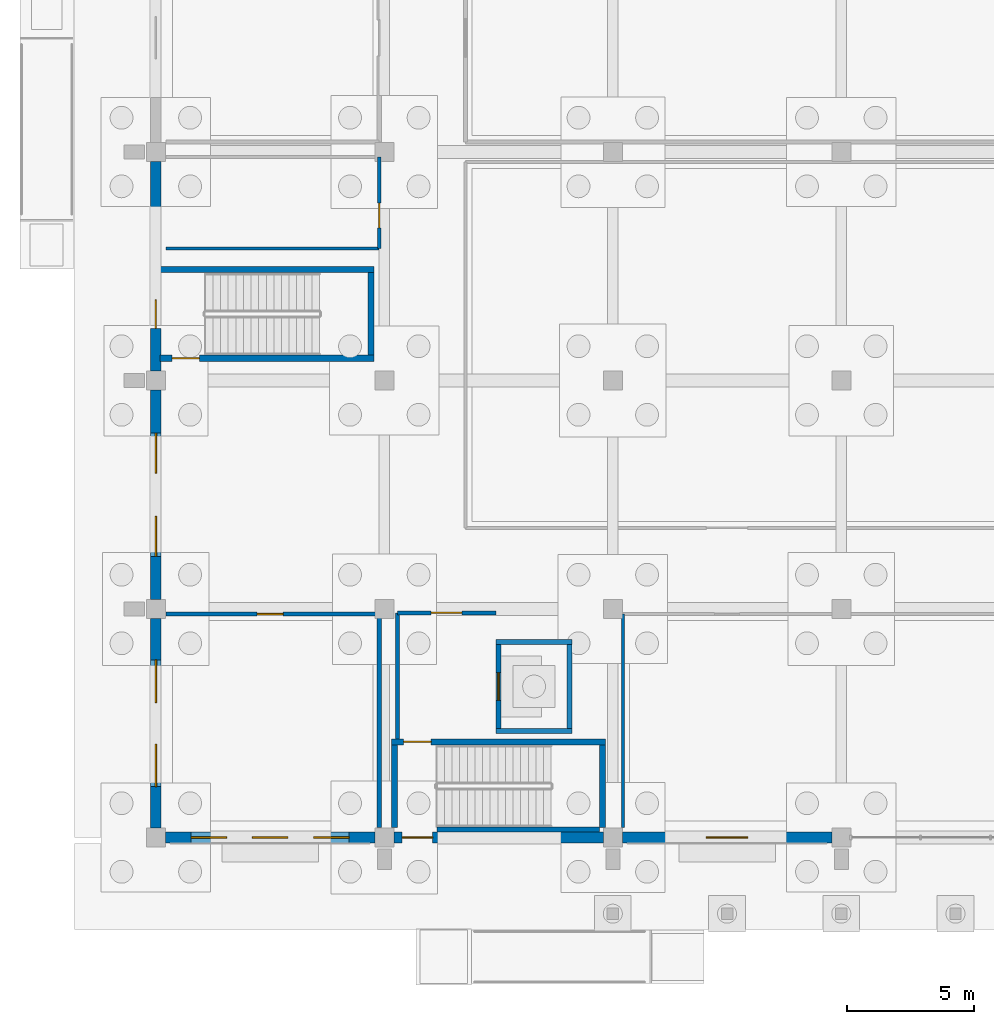
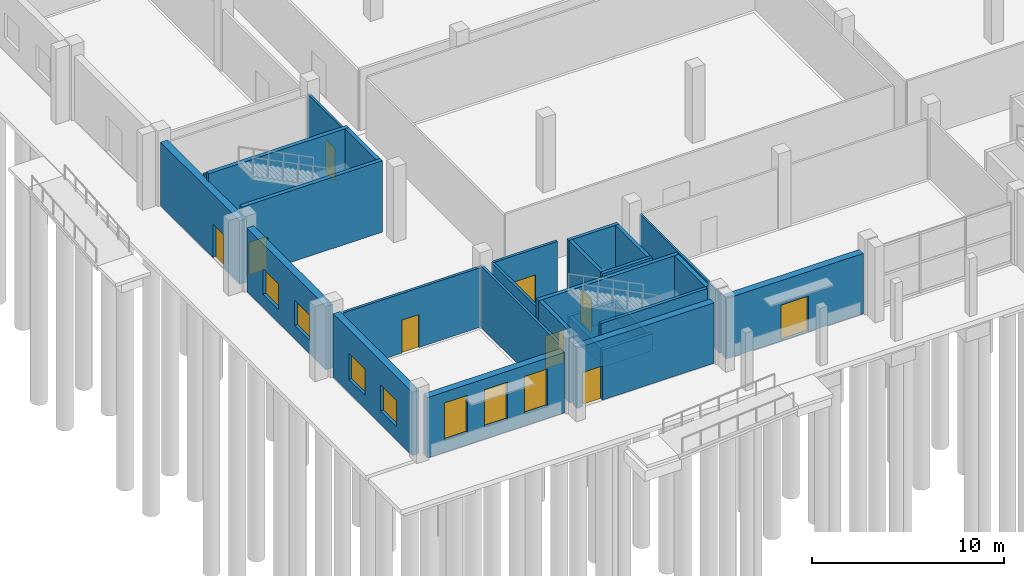
# One storey, part 62 of 112: 28 walls, 9 doors, 7 windows, 16 openings.
"""IFC4 building model written with IfcOpenShell, lengths in metres."""

from ifc_helpers import new_model, si_unit, direction, frame, frame_2d, origin, place, context, subcontext, project, spatial, rectangle, extrude, material, layer, layer_set, type_object, element, fill, save


model = new_model("IFC4")

# Units and contexts
model_context = context("Model", 3, precision=1e-05, world=origin(), true_north=direction((0.0, 1.0)))
body_context = subcontext(model_context, "Body", "Model", "MODEL_VIEW")
ifc_project = project(units=[si_unit("LENGTHUNIT", "METRE"), si_unit("AREAUNIT", "SQUARE_METRE"), si_unit("VOLUMEUNIT", "CUBIC_METRE"), si_unit("PLANEANGLEUNIT", "RADIAN"), si_unit("MASSUNIT", "GRAM", prefix="KILO")], contexts=[model_context])

# Site, building, storey
site_placement = place(None, origin())
site = spatial("IfcSite", under=ifc_project, at=site_placement, CompositionType="ELEMENT")
building_placement = place(site_placement, origin())
building = spatial("IfcBuilding", under=site, at=building_placement, Name="Tharagai Park Tramway Depot", CompositionType="ELEMENT")
storey_placement = place(building_placement, origin())
storey = spatial("IfcBuildingStorey", under=building, at=storey_placement, Name="L00", CompositionType="ELEMENT", Elevation=0.0)

# Wall, openings, windows
ifc_material_1 = material(Name="Charnockite stone", Category="masonry")
ifc_layer_1 = layer(ifc_material_1, 0.419921875)
ifc_layer_set_1 = layer_set([ifc_layer_1], Name="Charnockite stone")
wall_type_1 = type_object("IfcWallType", Name="EW-07", PredefinedType="SOLIDWALL", material=ifc_layer_set_1)
wall_1_placement = place(storey_placement, frame((0.373046875, 0.0, 0.0), z_axis=(0.0, 0.0, 1.0), x_axis=(1.0, 0.0, 0.0)))
wall_1 = element("IfcWall", 1, at=wall_1_placement, inside=storey, type_object=wall_type_1, Name="L00 V4 Exterior Masonry Wall EW-07", PredefinedType="SOLIDWALL", context=body_context, shape_type="SweptSolid", body=[
    extrude(rectangle(XDim=8.25390625, YDim=0.419921875, at=frame_2d((4.126953125, 0.0))), origin(), (0.0, 0.0, 1.0), 3.842041015625),
])
opening_1_placement = place(wall_1_placement, frame((1.013916015625, 0.0, 0.75)))
opening_1 = element("IfcOpeningElement", 2, at=opening_1_placement, cuts=wall_1, Name="Opening WN-29", PredefinedType="OPENING", context=body_context, shape_type="SweptSolid", body=[
    extrude(rectangle(XDim=1.39990234375, YDim=2.39990234375, at=frame_2d((0.699951171875, 1.199951171875))), frame((0.0, 0.219970703125, 0.0), z_axis=(0.0, -1.0, 0.0), x_axis=(1.0, 0.0, 0.0)), (0.0, 0.0, 1.0), 0.43994140625),
])
opening_2_placement = place(wall_1_placement, frame((3.427001953125, 0.0, 0.75)))
opening_2 = element("IfcOpeningElement", 3, at=opening_2_placement, cuts=wall_1, Name="Opening WN-29", PredefinedType="OPENING", context=body_context, shape_type="SweptSolid", body=[
    extrude(rectangle(XDim=1.39990234375, YDim=2.39990234375, at=frame_2d((0.699951171875, 1.199951171875))), frame((0.0, 0.219970703125, 0.0), z_axis=(0.0, -1.0, 0.0), x_axis=(1.0, 0.0, 0.0)), (0.0, 0.0, 1.0), 0.43994140625),
])
opening_3_placement = place(wall_1_placement, frame((5.841064453125, 0.0, 0.75)))
opening_3 = element("IfcOpeningElement", 4, at=opening_3_placement, cuts=wall_1, Name="Opening WN-29", PredefinedType="OPENING", context=body_context, shape_type="SweptSolid", body=[
    extrude(rectangle(XDim=1.39990234375, YDim=2.39990234375, at=frame_2d((0.699951171875, 1.199951171875))), frame((0.0, 0.219970703125, 0.0), z_axis=(0.0, -1.0, 0.0), x_axis=(1.0, 0.0, 0.0)), (0.0, 0.0, 1.0), 0.43994140625),
])
ifc_material_2 = material(Name="Laminated solar-control glass", Category="glass")
window_type_1 = type_object("IfcWindowType", Name="WN-29", PartitioningType="SINGLE_PANEL", PredefinedType="WINDOW", material=ifc_material_2)
window_1_placement = place(opening_1_placement, origin())
window_1 = element("IfcWindow", 5, at=window_1_placement, inside=storey, type_object=window_type_1, Name="L00 V4 Gothic Lancet Window WN-29", OverallHeight=2.39990234375, OverallWidth=1.39990234375, PartitioningType="SINGLE_PANEL", PredefinedType="WINDOW", context=body_context, shape_type="SweptSolid", body=[
    extrude(rectangle(XDim=1.39990234375, YDim=2.39990234375, at=frame_2d((0.699951171875, 1.199951171875))), frame((0.0, 0.030029296875, 0.0), z_axis=(0.0, -1.0, 0.0), x_axis=(1.0, 0.0, 0.0)), (0.0, 0.0, 1.0), 0.06005859375),
])
fill(opening_1, window_1)
window_2_placement = place(opening_2_placement, origin())
window_2 = element("IfcWindow", 6, at=window_2_placement, inside=storey, type_object=window_type_1, Name="L00 V4 Gothic Lancet Window WN-29", OverallHeight=2.39990234375, OverallWidth=1.39990234375, PartitioningType="SINGLE_PANEL", PredefinedType="WINDOW", context=body_context, shape_type="SweptSolid", body=[
    extrude(rectangle(XDim=1.39990234375, YDim=2.39990234375, at=frame_2d((0.699951171875, 1.199951171875))), frame((0.0, 0.030029296875, 0.0), z_axis=(0.0, -1.0, 0.0), x_axis=(1.0, 0.0, 0.0)), (0.0, 0.0, 1.0), 0.06005859375),
])
fill(opening_2, window_2)
window_3_placement = place(opening_3_placement, origin())
window_3 = element("IfcWindow", 7, at=window_3_placement, inside=storey, type_object=window_type_1, Name="L00 V4 Gothic Lancet Window WN-29", OverallHeight=2.39990234375, OverallWidth=1.39990234375, PartitioningType="SINGLE_PANEL", PredefinedType="WINDOW", context=body_context, shape_type="SweptSolid", body=[
    extrude(rectangle(XDim=1.39990234375, YDim=2.39990234375, at=frame_2d((0.699951171875, 1.199951171875))), frame((0.0, 0.030029296875, 0.0), z_axis=(0.0, -1.0, 0.0), x_axis=(1.0, 0.0, 0.0)), (0.0, 0.0, 1.0), 0.06005859375),
])
fill(opening_3, window_3)

# Wall, opening, door
wall_2_placement = place(storey_placement, frame((9.373046875, 0.0, 0.0), z_axis=(0.0, 0.0, 1.0), x_axis=(1.0, 0.0, 0.0)))
wall_2 = element("IfcWall", 8, at=wall_2_placement, inside=storey, type_object=wall_type_1, Name="L00 V4 Exterior Masonry Wall EW-07", PredefinedType="SOLIDWALL", context=body_context, shape_type="SweptSolid", body=[
    extrude(rectangle(XDim=8.25390625, YDim=0.419921875, at=frame_2d((4.126953125, 0.0))), origin(), (0.0, 0.0, 1.0), 3.842041015625),
])
opening_4_placement = place(wall_2_placement, frame((0.326904296875, 0.0, 0.0)))
opening_4 = element("IfcOpeningElement", 9, at=opening_4_placement, cuts=wall_2, Name="Opening ED-03", PredefinedType="OPENING", context=body_context, shape_type="SweptSolid", body=[
    extrude(rectangle(XDim=1.199951171875, YDim=2.179931640625, at=frame_2d((0.60009765625, 1.08984375))), frame((0.0, 0.219970703125, 0.0), z_axis=(0.0, -1.0, 0.0), x_axis=(1.0, 0.0, 0.0)), (0.0, 0.0, 1.0), 0.43994140625),
])
ifc_material_3 = material(Name="Anodised aluminium", Category="aluminium")
door_type_1 = type_object("IfcDoorType", Name="ED-03", OperationType="NOTDEFINED", PredefinedType="DOOR", material=ifc_material_3)
door_1_placement = place(opening_4_placement, frame((1.199951171875, 0.0, 0.0), z_axis=(0.0, 0.0, 1.0), x_axis=(-1.0, 0.0, 0.0)))
door_1 = element("IfcDoor", 10, at=door_1_placement, inside=storey, type_object=door_type_1, Name="Core C1 Final Exit Door", OperationType="SINGLE_SWING_LEFT", OverallHeight=2.179931640625, OverallWidth=1.199951171875, PredefinedType="DOOR", context=body_context, shape_type="SweptSolid", body=[
    extrude(rectangle(XDim=1.199951171875, YDim=2.179931640625, at=frame_2d((0.60009765625, 1.08984375))), frame((0.0, 0.02490234375, 0.0), z_axis=(0.0, -1.0, 0.0), x_axis=(1.0, 0.0, 0.0)), (0.0, 0.0, 1.0), 0.050048828125),
])
fill(opening_4, door_1)

wall_3_placement = place(storey_placement, frame((18.373046875, 0.0, 0.0), z_axis=(0.0, 0.0, 1.0), x_axis=(1.0, 0.0, 0.0)))
wall_3 = element("IfcWall", 11, at=wall_3_placement, inside=storey, type_object=wall_type_1, Name="L00 V4 Exterior Masonry Wall EW-07", PredefinedType="SOLIDWALL", context=body_context, shape_type="SweptSolid", body=[
    extrude(rectangle(XDim=8.25390625, YDim=0.419921875, at=frame_2d((4.126953125, 0.0))), origin(), (0.0, 0.0, 1.0), 3.842041015625),
])
opening_5_placement = place(wall_3_placement, frame((3.302001953125, 0.0, 0.0)))
opening_5 = element("IfcOpeningElement", 12, at=opening_5_placement, cuts=wall_3, Name="Opening ED-06", PredefinedType="OPENING", context=body_context, shape_type="SweptSolid", body=[
    extrude(rectangle(XDim=1.64990234375, YDim=2.280029296875, at=frame_2d((0.824951171875, 1.14013671875))), frame((0.0, 0.219970703125, 0.0), z_axis=(0.0, -1.0, 0.0), x_axis=(1.0, 0.0, 0.0)), (0.0, 0.0, 1.0), 0.43994140625),
])
door_type_2 = type_object("IfcDoorType", Name="ED-06", OperationType="DOUBLE_SWING_LEFT", PredefinedType="DOOR", material=ifc_material_3)
door_2_placement = place(opening_5_placement, frame((1.64990234375, 0.0, 0.0), z_axis=(0.0, 0.0, 1.0), x_axis=(-1.0, 0.0, 0.0)))
door_2 = element("IfcDoor", 13, at=door_2_placement, inside=storey, type_object=door_type_2, Name="Civic Entrance Double Door", OperationType="DOUBLE_SWING_LEFT", OverallHeight=2.280029296875, OverallWidth=1.64990234375, PredefinedType="DOOR", context=body_context, shape_type="SweptSolid", body=[
    extrude(rectangle(XDim=1.64990234375, YDim=2.280029296875, at=frame_2d((0.824951171875, 1.14013671875))), frame((0.0, 0.02490234375, 0.0), z_axis=(0.0, -1.0, 0.0), x_axis=(1.0, 0.0, 0.0)), (0.0, 0.0, 1.0), 0.050048828125),
])
fill(opening_5, door_2)

# Wall, openings, windows
wall_4_placement = place(storey_placement, frame((0.0, 0.373046875, 0.0), z_axis=(0.0, 0.0, 1.0), x_axis=(0.0, 1.0, 0.0)))
wall_4 = element("IfcWall", 14, at=wall_4_placement, inside=storey, type_object=wall_type_1, Name="L00 V4 Exterior Masonry Wall EW-07", PredefinedType="SOLIDWALL", context=body_context, shape_type="SweptSolid", body=[
    extrude(rectangle(XDim=8.25390625, YDim=0.419921875, at=frame_2d((4.126953125, 0.0))), origin(), (0.0, 0.0, 1.0), 4.0419921875),
])
opening_6_placement = place(wall_4_placement, frame((1.631103515625, 0.0, 0.85009765625)))
opening_6 = element("IfcOpeningElement", 15, at=opening_6_placement, cuts=wall_4, Name="Opening WN-38", PredefinedType="OPENING", context=body_context, shape_type="SweptSolid", body=[
    extrude(rectangle(XDim=1.679931640625, YDim=1.659912109375, at=frame_2d((0.83984375, 0.830078125))), frame((0.0, 0.219970703125, 0.0), z_axis=(0.0, -1.0, 0.0), x_axis=(1.0, 0.0, 0.0)), (0.0, 0.0, 1.0), 0.43994140625),
])
opening_7_placement = place(wall_4_placement, frame((4.943115234375, 0.0, 0.85009765625)))
opening_7 = element("IfcOpeningElement", 16, at=opening_7_placement, cuts=wall_4, Name="Opening WN-38", PredefinedType="OPENING", context=body_context, shape_type="SweptSolid", body=[
    extrude(rectangle(XDim=1.679931640625, YDim=1.659912109375, at=frame_2d((0.83984375, 0.830078125))), frame((0.0, 0.219970703125, 0.0), z_axis=(0.0, -1.0, 0.0), x_axis=(1.0, 0.0, 0.0)), (0.0, 0.0, 1.0), 0.43994140625),
])
window_type_2 = type_object("IfcWindowType", Name="WN-38", PartitioningType="SINGLE_PANEL", PredefinedType="WINDOW", material=ifc_material_2)
window_4_placement = place(opening_6_placement, origin())
window_4 = element("IfcWindow", 17, at=window_4_placement, inside=storey, type_object=window_type_2, Name="L00 V4 Side Lancet Window WN-38", OverallHeight=1.659912109375, OverallWidth=1.679931640625, PartitioningType="SINGLE_PANEL", PredefinedType="WINDOW", context=body_context, shape_type="SweptSolid", body=[
    extrude(rectangle(XDim=1.679931640625, YDim=1.659912109375, at=frame_2d((0.83984375, 0.830078125))), frame((0.0, 0.030029296875, 0.0), z_axis=(0.0, -1.0, 0.0), x_axis=(1.0, 0.0, 0.0)), (0.0, 0.0, 1.0), 0.06005859375),
])
fill(opening_6, window_4)
window_5_placement = place(opening_7_placement, origin())
window_5 = element("IfcWindow", 18, at=window_5_placement, inside=storey, type_object=window_type_2, Name="L00 V4 Side Lancet Window WN-38", OverallHeight=1.659912109375, OverallWidth=1.679931640625, PartitioningType="SINGLE_PANEL", PredefinedType="WINDOW", context=body_context, shape_type="SweptSolid", body=[
    extrude(rectangle(XDim=1.679931640625, YDim=1.659912109375, at=frame_2d((0.83984375, 0.830078125))), frame((0.0, 0.030029296875, 0.0), z_axis=(0.0, -1.0, 0.0), x_axis=(1.0, 0.0, 0.0)), (0.0, 0.0, 1.0), 0.06005859375),
])
fill(opening_7, window_5)

wall_5_placement = place(storey_placement, frame((0.0, 9.373046875, 0.0), z_axis=(0.0, 0.0, 1.0), x_axis=(0.0, 1.0, 0.0)))
wall_5 = element("IfcWall", 19, at=wall_5_placement, inside=storey, type_object=wall_type_1, Name="L00 V4 Exterior Masonry Wall EW-07", PredefinedType="SOLIDWALL", context=body_context, shape_type="SweptSolid", body=[
    extrude(rectangle(XDim=8.25390625, YDim=0.419921875, at=frame_2d((4.126953125, 0.0))), origin(), (0.0, 0.0, 1.0), 4.0419921875),
])
opening_8_placement = place(wall_5_placement, frame((1.697998046875, 0.0, 0.85009765625)))
opening_8 = element("IfcOpeningElement", 20, at=opening_8_placement, cuts=wall_5, Name="Opening WN-33", PredefinedType="OPENING", context=body_context, shape_type="SweptSolid", body=[
    extrude(rectangle(XDim=1.580078125, YDim=1.60009765625, at=frame_2d((0.7900390625, 0.800048828125))), frame((0.0, 0.219970703125, 0.0), z_axis=(0.0, -1.0, 0.0), x_axis=(1.0, 0.0, 0.0)), (0.0, 0.0, 1.0), 0.43994140625),
])
opening_9_placement = place(wall_5_placement, frame((4.97607421875, 0.0, 0.85009765625)))
opening_9 = element("IfcOpeningElement", 21, at=opening_9_placement, cuts=wall_5, Name="Opening WN-33", PredefinedType="OPENING", context=body_context, shape_type="SweptSolid", body=[
    extrude(rectangle(XDim=1.580078125, YDim=1.60009765625, at=frame_2d((0.7900390625, 0.800048828125))), frame((0.0, 0.219970703125, 0.0), z_axis=(0.0, -1.0, 0.0), x_axis=(1.0, 0.0, 0.0)), (0.0, 0.0, 1.0), 0.43994140625),
])
window_type_3 = type_object("IfcWindowType", Name="WN-33", PartitioningType="SINGLE_PANEL", PredefinedType="WINDOW", material=ifc_material_2)
window_6_placement = place(opening_8_placement, origin())
window_6 = element("IfcWindow", 22, at=window_6_placement, inside=storey, type_object=window_type_3, Name="L00 V4 Side Lancet Window WN-33", OverallHeight=1.60009765625, OverallWidth=1.580078125, PartitioningType="SINGLE_PANEL", PredefinedType="WINDOW", context=body_context, shape_type="SweptSolid", body=[
    extrude(rectangle(XDim=1.580078125, YDim=1.60009765625, at=frame_2d((0.7900390625, 0.800048828125))), frame((0.0, 0.030029296875, 0.0), z_axis=(0.0, -1.0, 0.0), x_axis=(1.0, 0.0, 0.0)), (0.0, 0.0, 1.0), 0.06005859375),
])
fill(opening_8, window_6)
window_7_placement = place(opening_9_placement, origin())
window_7 = element("IfcWindow", 23, at=window_7_placement, inside=storey, type_object=window_type_3, Name="L00 V4 Side Lancet Window WN-33", OverallHeight=1.60009765625, OverallWidth=1.580078125, PartitioningType="SINGLE_PANEL", PredefinedType="WINDOW", context=body_context, shape_type="SweptSolid", body=[
    extrude(rectangle(XDim=1.580078125, YDim=1.60009765625, at=frame_2d((0.7900390625, 0.800048828125))), frame((0.0, 0.030029296875, 0.0), z_axis=(0.0, -1.0, 0.0), x_axis=(1.0, 0.0, 0.0)), (0.0, 0.0, 1.0), 0.06005859375),
])
fill(opening_9, window_7)

# Wall, opening, door
wall_6_placement = place(storey_placement, frame((0.0, 18.373046875, 0.0), z_axis=(0.0, 0.0, 1.0), x_axis=(0.0, 1.0, 0.0)))
wall_6 = element("IfcWall", 24, at=wall_6_placement, inside=storey, type_object=wall_type_1, Name="L00 V4 Exterior Masonry Wall EW-07", PredefinedType="SOLIDWALL", context=body_context, shape_type="SweptSolid", body=[
    extrude(rectangle(XDim=8.25390625, YDim=0.419921875, at=frame_2d((4.126953125, 0.0))), origin(), (0.0, 0.0, 1.0), 4.0419921875),
])
opening_10_placement = place(wall_6_placement, frame((1.68701171875, 0.0, 0.0)))
opening_10 = element("IfcOpeningElement", 25, at=opening_10_placement, cuts=wall_6, Name="Opening ED-08", PredefinedType="OPENING", context=body_context, shape_type="SweptSolid", body=[
    extrude(rectangle(XDim=1.1201171875, YDim=2.139892578125, at=frame_2d((0.56005859375, 1.06982421875))), frame((0.0, 0.219970703125, 0.0), z_axis=(0.0, -1.0, 0.0), x_axis=(1.0, 0.0, 0.0)), (0.0, 0.0, 1.0), 0.43994140625),
])
door_type_3 = type_object("IfcDoorType", Name="ED-08", OperationType="NOTDEFINED", PredefinedType="DOOR", material=ifc_material_3)
door_3_placement = place(opening_10_placement, origin())
door_3 = element("IfcDoor", 26, at=door_3_placement, inside=storey, type_object=door_type_3, Name="Core C3 Final Exit Door", OperationType="SINGLE_SWING_LEFT", OverallHeight=2.139892578125, OverallWidth=1.1201171875, PredefinedType="DOOR", context=body_context, shape_type="SweptSolid", body=[
    extrude(rectangle(XDim=1.1201171875, YDim=2.139892578125, at=frame_2d((0.56005859375, 1.06982421875))), frame((0.0, 0.02490234375, 0.0), z_axis=(0.0, -1.0, 0.0), x_axis=(1.0, 0.0, 0.0)), (0.0, 0.0, 1.0), 0.050048828125),
])
fill(opening_10, door_3)

ifc_material_4 = material(Name="Pressed clay brick", Category="masonry")
ifc_layer_2 = layer(ifc_material_4, 0.159912109375)
ifc_layer_set_2 = layer_set([ifc_layer_2], Name="Pressed clay brick")
wall_type_2 = type_object("IfcWallType", Name="IW-02", PredefinedType="PARTITIONING", material=ifc_layer_set_2)
wall_7_placement = place(storey_placement, frame((9.52001953125, 8.85009765625, 0.0), z_axis=(0.0, 0.0, 1.0), x_axis=(1.0, 0.0, 0.0)))
wall_7 = element("IfcWall", 27, at=wall_7_placement, inside=storey, type_object=wall_type_2, Name="Firefighting Lobby L00 Partition North", PredefinedType="PARTITIONING", context=body_context, shape_type="SweptSolid", body=[
    extrude(rectangle(XDim=3.8798828125, YDim=0.159912109375, at=frame_2d((1.93994140625, 0.0))), origin(), (0.0, 0.0, 1.0), 3.794921875),
])
opening_11_placement = place(wall_7_placement, frame((1.320068359375, 0.0, 0.0)))
opening_11 = element("IfcOpeningElement", 28, at=opening_11_placement, cuts=wall_7, Name="Opening ID-10", PredefinedType="OPENING", context=body_context, shape_type="SweptSolid", body=[
    extrude(rectangle(XDim=1.219970703125, YDim=2.1201171875, at=frame_2d((0.60986328125, 1.06005859375))), frame((0.0, 0.08984375, 0.0), z_axis=(0.0, -1.0, 0.0), x_axis=(1.0, 0.0, 0.0)), (0.0, 0.0, 1.0), 0.179931640625),
])
ifc_material_5 = material(Name="Galvanised steel", Category="steel")
door_type_4 = type_object("IfcDoorType", Name="ID-10", OperationType="NOTDEFINED", PredefinedType="DOOR", material=ifc_material_5)
door_4_placement = place(opening_11_placement, origin())
door_4 = element("IfcDoor", 29, at=door_4_placement, inside=storey, type_object=door_type_4, Name="Firefighting Lobby L00 Door", OperationType="SINGLE_SWING_LEFT", OverallHeight=2.1201171875, OverallWidth=1.219970703125, PredefinedType="DOOR", context=body_context, shape_type="SweptSolid", body=[
    extrude(rectangle(XDim=1.219970703125, YDim=2.1201171875, at=frame_2d((0.60986328125, 1.06005859375))), frame((0.0, 0.02490234375, 0.0), z_axis=(0.0, -1.0, 0.0), x_axis=(1.0, 0.0, 0.0)), (0.0, 0.0, 1.0), 0.050048828125),
])
fill(opening_11, door_4)

# Wall
wall_8_placement = place(storey_placement, frame((9.52001953125, 3.889892578125, 0.0), z_axis=(0.0, 0.0, 1.0), x_axis=(0.0, 1.0, 0.0)))
element("IfcWall", 30, at=wall_8_placement, inside=storey, type_object=wall_type_2, Name="Firefighting Lobby L00 Partition West", PredefinedType="PARTITIONING", context=body_context, shape_type="SweptSolid", body=[
    extrude(rectangle(XDim=4.960205078125, YDim=0.159912109375, at=frame_2d((2.47998046875, 0.0))), origin(), (0.0, 0.0, 1.0), 3.794921875),
])

# Wall, opening, door
wall_9_placement = place(storey_placement, frame((0.39990234375, 8.800048828125, 0.0), z_axis=(0.0, 0.0, 1.0), x_axis=(1.0, 0.0, 0.0)))
wall_9 = element("IfcWall", 31, at=wall_9_placement, inside=storey, type_object=wall_type_2, Name="Fire Command Centre Partition North", PredefinedType="PARTITIONING", context=body_context, shape_type="SweptSolid", body=[
    extrude(rectangle(XDim=8.400146484375, YDim=0.159912109375, at=frame_2d((4.2001953125, 0.0))), origin(), (0.0, 0.0, 1.0), 3.794921875),
])
opening_12_placement = place(wall_9_placement, frame((3.590087890625, 0.0, 0.0)))
opening_12 = element("IfcOpeningElement", 32, at=opening_12_placement, cuts=wall_9, Name="Opening ID-12", PredefinedType="OPENING", context=body_context, shape_type="SweptSolid", body=[
    extrude(rectangle(XDim=1.02001953125, YDim=2.10009765625, at=frame_2d((0.510009765625, 1.050048828125))), frame((0.0, 0.08984375, 0.0), z_axis=(0.0, -1.0, 0.0), x_axis=(1.0, 0.0, 0.0)), (0.0, 0.0, 1.0), 0.179931640625),
])
ifc_material_6 = material(Name="Pressed timber", Category="wood")
door_type_5 = type_object("IfcDoorType", Name="ID-12", OperationType="NOTDEFINED", PredefinedType="DOOR", material=ifc_material_6)
door_5_placement = place(opening_12_placement, origin())
door_5 = element("IfcDoor", 33, at=door_5_placement, inside=storey, type_object=door_type_5, Name="Fire Command Centre Door", OperationType="SINGLE_SWING_LEFT", OverallHeight=2.10009765625, OverallWidth=1.02001953125, PredefinedType="DOOR", context=body_context, shape_type="SweptSolid", body=[
    extrude(rectangle(XDim=1.02001953125, YDim=2.10009765625, at=frame_2d((0.510009765625, 1.050048828125))), frame((0.0, 0.02490234375, 0.0), z_axis=(0.0, -1.0, 0.0), x_axis=(1.0, 0.0, 0.0)), (0.0, 0.0, 1.0), 0.050048828125),
])
fill(opening_12, door_5)

# Walls
wall_10_placement = place(storey_placement, frame((8.800048828125, 0.39990234375, 0.0), z_axis=(0.0, 0.0, 1.0), x_axis=(0.0, 1.0, 0.0)))
element("IfcWall", 34, at=wall_10_placement, inside=storey, type_object=wall_type_2, Name="Fire Command Centre Partition East", PredefinedType="PARTITIONING", context=body_context, shape_type="SweptSolid", body=[
    extrude(rectangle(XDim=8.400146484375, YDim=0.159912109375, at=frame_2d((4.2001953125, 0.0))), origin(), (0.0, 0.0, 1.0), 3.89501953125),
])
ifc_material_7 = material(Name="Gypsum board", Category="gypsum")
ifc_layer_3 = layer(ifc_material_7, 0.1201171875)
ifc_layer_set_3 = layer_set([ifc_layer_3], Name="Gypsum board")
wall_type_3 = type_object("IfcWallType", Name="IW-03", PredefinedType="PARTITIONING", material=ifc_layer_set_3)
wall_11_placement = place(storey_placement, frame((18.39990234375, 0.39990234375, 0.0), z_axis=(0.0, 0.0, 1.0), x_axis=(0.0, 1.0, 0.0)))
element("IfcWall", 35, at=wall_11_placement, inside=storey, type_object=wall_type_3, Name="Driver Signing-On and Breathalyser Hall Partition West", PredefinedType="PARTITIONING", context=body_context, shape_type="SweptSolid", body=[
    extrude(rectangle(XDim=8.400146484375, YDim=0.1201171875, at=frame_2d((4.2001953125, 0.0))), origin(), (0.0, 0.0, 1.0), 3.794921875),
])
wall_12_placement = place(storey_placement, frame((0.39990234375, 23.199951171875, 0.0), z_axis=(0.0, 0.0, 1.0), x_axis=(1.0, 0.0, 0.0)))
element("IfcWall", 36, at=wall_12_placement, inside=storey, type_object=wall_type_3, Name="Crew Waiting Room Partition South", PredefinedType="PARTITIONING", context=body_context, shape_type="SweptSolid", body=[
    extrude(rectangle(XDim=8.400146484375, YDim=0.1201171875, at=frame_2d((4.2001953125, 0.0))), origin(), (0.0, 0.0, 1.0), 3.89501953125),
])

# Wall, opening, door
wall_13_placement = place(storey_placement, frame((8.800048828125, 23.199951171875, 0.0), z_axis=(0.0, 0.0, 1.0), x_axis=(0.0, 1.0, 0.0)))
wall_13 = element("IfcWall", 37, at=wall_13_placement, inside=storey, type_object=wall_type_3, Name="Crew Waiting Room Partition East", PredefinedType="PARTITIONING", context=body_context, shape_type="SweptSolid", body=[
    extrude(rectangle(XDim=3.60009765625, YDim=0.1201171875, at=frame_2d((1.800048828125, 0.0))), origin(), (0.0, 0.0, 1.0), 3.89501953125),
])
opening_13_placement = place(wall_13_placement, frame((0.81005859375, 0.0, 0.0)))
opening_13 = element("IfcOpeningElement", 38, at=opening_13_placement, cuts=wall_13, Name="Opening ID-02", PredefinedType="OPENING", context=body_context, shape_type="SweptSolid", body=[
    extrude(rectangle(XDim=0.97998046875, YDim=2.080078125, at=frame_2d((0.489990234375, 1.0400390625))), frame((0.0, 0.070068359375, 0.0), z_axis=(0.0, -1.0, 0.0), x_axis=(1.0, 0.0, 0.0)), (0.0, 0.0, 1.0), 0.14013671875),
])
door_type_6 = type_object("IfcDoorType", Name="ID-02", OperationType="NOTDEFINED", PredefinedType="DOOR", material=ifc_material_6)
door_6_placement = place(opening_13_placement, frame((0.97998046875, 0.0, 0.0), z_axis=(0.0, 0.0, 1.0), x_axis=(-1.0, 0.0, 0.0)))
door_6 = element("IfcDoor", 39, at=door_6_placement, inside=storey, type_object=door_type_6, Name="Crew Waiting Room Door", OperationType="SINGLE_SWING_RIGHT", OverallHeight=2.080078125, OverallWidth=0.97998046875, PredefinedType="DOOR", context=body_context, shape_type="SweptSolid", body=[
    extrude(rectangle(XDim=0.97998046875, YDim=2.080078125, at=frame_2d((0.489990234375, 1.0400390625))), frame((0.0, 0.02490234375, 0.0), z_axis=(0.0, -1.0, 0.0), x_axis=(1.0, 0.0, 0.0)), (0.0, 0.0, 1.0), 0.050048828125),
])
fill(opening_13, door_6)

ifc_material_8 = material(Name="Concrete M40", Category="concrete")
ifc_layer_4 = layer(ifc_material_8, 0.239990234375)
ifc_layer_set_4 = layer_set([ifc_layer_4], Name="Concrete M40")
wall_type_4 = type_object("IfcWallType", Name="SW-01", PredefinedType="SHEAR", material=ifc_layer_set_4)
wall_14_placement = place(storey_placement, frame((9.280029296875, 3.77001953125, 0.0), z_axis=(0.0, 0.0, 1.0), x_axis=(1.0, 0.0, 0.0)))
wall_14 = element("IfcWall", 40, at=wall_14_placement, inside=storey, type_object=wall_type_4, Name="Core C1 L00 Shear Wall North", PredefinedType="SHEAR", context=body_context, shape_type="SweptSolid", body=[
    extrude(rectangle(XDim=8.43994140625, YDim=0.239990234375, at=frame_2d((4.219970703125, 0.0))), origin(), (0.0, 0.0, 1.0), 4.550048828125),
])
opening_14_placement = place(wall_14_placement, frame((0.47998046875, 0.0, 0.0)))
opening_14 = element("IfcOpeningElement", 41, at=opening_14_placement, cuts=wall_14, Name="Opening ID-05", PredefinedType="OPENING", context=body_context, shape_type="SweptSolid", body=[
    extrude(rectangle(XDim=1.080078125, YDim=2.080078125, at=frame_2d((0.5400390625, 1.0400390625))), frame((0.0, 0.1298828125, 0.0), z_axis=(0.0, -1.0, 0.0), x_axis=(1.0, 0.0, 0.0)), (0.0, 0.0, 1.0), 0.260009765625),
])
door_type_7 = type_object("IfcDoorType", Name="ID-05", OperationType="NOTDEFINED", PredefinedType="DOOR", material=ifc_material_5)
door_7_placement = place(opening_14_placement, origin())
door_7 = element("IfcDoor", 42, at=door_7_placement, inside=storey, type_object=door_type_7, Name="Stair ST-01 L00 Fire Door", OperationType="SINGLE_SWING_LEFT", OverallHeight=2.080078125, OverallWidth=1.080078125, PredefinedType="DOOR", context=body_context, shape_type="SweptSolid", body=[
    extrude(rectangle(XDim=1.080078125, YDim=2.080078125, at=frame_2d((0.5400390625, 1.0400390625))), frame((0.0, 0.02490234375, 0.0), z_axis=(0.0, -1.0, 0.0), x_axis=(1.0, 0.0, 0.0)), (0.0, 0.0, 1.0), 0.050048828125),
])
fill(opening_14, door_7)

# Walls
for number, where, z_axis, x_axis, name in (
    (43, (9.39990234375, 0.39990234375, 0.0), (0.0, 0.0, 1.0), (0.0, 1.0, 0.0), "Core C1 L00 Shear Wall West"),
    (44, (17.60009765625, 0.39990234375, 0.0), (0.0, 0.0, 1.0), (0.0, 1.0, 0.0), "Core C1 L00 Shear Wall East"),
):
    element("IfcWall", number, at=place(storey_placement, frame(where, z_axis=z_axis, x_axis=x_axis)), inside=storey, type_object=wall_type_4, Name=name, PredefinedType="SHEAR", context=body_context, shape_type="SweptSolid", body=[
        extrude(rectangle(XDim=3.25, YDim=0.239990234375, at=frame_2d((1.625, 0.0))), origin(), (0.0, 0.0, 1.0), 4.550048828125),
    ])

# Wall, opening, door
wall_15_placement = place(storey_placement, frame((0.159912109375, 18.8798828125, 0.0), z_axis=(0.0, 0.0, 1.0), x_axis=(1.0, 0.0, 0.0)))
wall_15 = element("IfcWall", 45, at=wall_15_placement, inside=storey, type_object=wall_type_4, Name="Core C3 L00 Shear Wall South", PredefinedType="SHEAR", context=body_context, shape_type="SweptSolid", body=[
    extrude(rectangle(XDim=8.440185546875, YDim=0.239990234375, at=frame_2d((4.22021484375, 0.0))), origin(), (0.0, 0.0, 1.0), 4.550048828125),
])
opening_15_placement = place(wall_15_placement, frame((0.47998046875, 0.0, 0.0)))
opening_15 = element("IfcOpeningElement", 46, at=opening_15_placement, cuts=wall_15, Name="Opening ID-05", PredefinedType="OPENING", context=body_context, shape_type="SweptSolid", body=[
    extrude(rectangle(XDim=1.080078125, YDim=2.080078125, at=frame_2d((0.5400390625, 1.0400390625))), frame((0.0, 0.1298828125, 0.0), z_axis=(0.0, -1.0, 0.0), x_axis=(1.0, 0.0, 0.0)), (0.0, 0.0, 1.0), 0.260009765625),
])
door_8_placement = place(opening_15_placement, frame((1.080078125, 0.0, 0.0), z_axis=(0.0, 0.0, 1.0), x_axis=(-1.0, 0.0, 0.0)))
door_8 = element("IfcDoor", 47, at=door_8_placement, inside=storey, type_object=door_type_7, Name="Stair ST-03 L00 Fire Door", OperationType="SINGLE_SWING_LEFT", OverallHeight=2.080078125, OverallWidth=1.080078125, PredefinedType="DOOR", context=body_context, shape_type="SweptSolid", body=[
    extrude(rectangle(XDim=1.080078125, YDim=2.080078125, at=frame_2d((0.5400390625, 1.0400390625))), frame((0.0, 0.02490234375, 0.0), z_axis=(0.0, -1.0, 0.0), x_axis=(1.0, 0.0, 0.0)), (0.0, 0.0, 1.0), 0.050048828125),
])
fill(opening_15, door_8)

# Walls
wall_16_placement = place(storey_placement, frame((0.159912109375, 22.3701171875, 0.0), z_axis=(0.0, 0.0, 1.0), x_axis=(1.0, 0.0, 0.0)))
element("IfcWall", 48, at=wall_16_placement, inside=storey, type_object=wall_type_4, Name="Core C3 L00 Shear Wall North", PredefinedType="SHEAR", context=body_context, shape_type="SweptSolid", body=[
    extrude(rectangle(XDim=8.440185546875, YDim=0.239990234375, at=frame_2d((4.22021484375, 0.0))), origin(), (0.0, 0.0, 1.0), 4.550048828125),
])
wall_17_placement = place(storey_placement, frame((8.47998046875, 19.0, 0.0), z_axis=(0.0, 0.0, 1.0), x_axis=(0.0, 1.0, 0.0)))
element("IfcWall", 49, at=wall_17_placement, inside=storey, type_object=wall_type_4, Name="Core C3 L00 Shear Wall East", PredefinedType="SHEAR", context=body_context, shape_type="SweptSolid", body=[
    extrude(rectangle(XDim=3.25, YDim=0.239990234375, at=frame_2d((1.625, 0.0))), origin(), (0.0, 0.0, 1.0), 4.550048828125),
])
ifc_layer_5 = layer(ifc_material_8, 0.199951171875)
ifc_layer_set_5 = layer_set([ifc_layer_5], Name="Concrete M40")
wall_type_5 = type_object("IfcWallType", Name="SW-02", PredefinedType="SHEAR", material=ifc_layer_set_5)
wall_18_placement = place(storey_placement, frame((11.070068359375, 0.31494140625, 0.0), z_axis=(0.0, 0.0, 1.0), x_axis=(1.0, 0.0, 0.0)))
element("IfcWall", 50, at=wall_18_placement, inside=storey, type_object=wall_type_5, Name="Core C1 L00 Shear Bearing Liner South", PredefinedType="SHEAR", context=body_context, shape_type="SweptSolid", body=[
    extrude(rectangle(XDim=6.409912109375, YDim=0.199951171875, at=frame_2d((3.205078125, 0.0))), origin(), (0.0, 0.0, 1.0), 4.550048828125),
])
for number, where, z_axis, x_axis, name in (
    (51, (13.39990234375, 4.199951171875, -1.39990234375), (0.0, 0.0, 1.0), (1.0, 0.0, 0.0), "Lift LF-01 Pit Wall South"),
    (52, (13.39990234375, 7.699951171875, -1.39990234375), (0.0, 0.0, 1.0), (1.0, 0.0, 0.0), "Lift LF-01 Pit Wall North"),
):
    element("IfcWall", number, at=place(storey_placement, frame(where, z_axis=z_axis, x_axis=x_axis)), inside=storey, type_object=wall_type_5, Name=name, PredefinedType="SHEAR", context=body_context, shape_type="SweptSolid", body=[
        extrude(rectangle(XDim=3.0, YDim=0.199951171875, at=frame_2d((1.5, 0.0))), origin(), (0.0, 0.0, 1.0), 1.099853515625),
    ])
for number, where, z_axis, x_axis, name in (
    (53, (13.5, 4.300048828125, -1.39990234375), (0.0, 0.0, 1.0), (0.0, 1.0, 0.0), "Lift LF-01 Pit Wall West"),
    (54, (16.300048828125, 4.300048828125, -1.39990234375), (0.0, 0.0, 1.0), (0.0, 1.0, 0.0), "Lift LF-01 Pit Wall East"),
):
    element("IfcWall", number, at=place(storey_placement, frame(where, z_axis=z_axis, x_axis=x_axis)), inside=storey, type_object=wall_type_5, Name=name, PredefinedType="SHEAR", context=body_context, shape_type="SweptSolid", body=[
        extrude(rectangle(XDim=3.300048828125, YDim=0.199951171875, at=frame_2d((1.64990234375, 0.0))), origin(), (0.0, 0.0, 1.0), 1.099853515625),
    ])
for number, where, z_axis, x_axis, name in (
    (55, (13.39990234375, 4.199951171875, 0.0), (0.0, 0.0, 1.0), (1.0, 0.0, 0.0), "Lift LF-01 L00 Shaft Wall South"),
    (56, (13.39990234375, 7.699951171875, 0.0), (0.0, 0.0, 1.0), (1.0, 0.0, 0.0), "Lift LF-01 L00 Shaft Wall North"),
):
    element("IfcWall", number, at=place(storey_placement, frame(where, z_axis=z_axis, x_axis=x_axis)), inside=storey, type_object=wall_type_5, Name=name, PredefinedType="SHEAR", context=body_context, shape_type="SweptSolid", body=[
        extrude(rectangle(XDim=3.0, YDim=0.199951171875, at=frame_2d((1.5, 0.0))), origin(), (0.0, 0.0, 1.0), 4.550048828125),
    ])

# Wall, opening, door
wall_19_placement = place(storey_placement, frame((13.5, 4.300048828125, 0.0), z_axis=(0.0, 0.0, 1.0), x_axis=(0.0, 1.0, 0.0)))
wall_19 = element("IfcWall", 57, at=wall_19_placement, inside=storey, type_object=wall_type_5, Name="Lift LF-01 L00 Shaft Wall West", PredefinedType="SHEAR", context=body_context, shape_type="SweptSolid", body=[
    extrude(rectangle(XDim=3.300048828125, YDim=0.199951171875, at=frame_2d((1.64990234375, 0.0))), origin(), (0.0, 0.0, 1.0), 4.550048828125),
])
opening_16_placement = place(wall_19_placement, frame((1.10009765625, 0.0, 0.0)))
opening_16 = element("IfcOpeningElement", 58, at=opening_16_placement, cuts=wall_19, Name="Opening LD-03", PredefinedType="OPENING", context=body_context, shape_type="SweptSolid", body=[
    extrude(rectangle(XDim=1.10009765625, YDim=2.10009765625, at=frame_2d((0.550048828125, 1.050048828125))), frame((0.0, 0.10986328125, 0.0), z_axis=(0.0, -1.0, 0.0), x_axis=(1.0, 0.0, 0.0)), (0.0, 0.0, 1.0), 0.219970703125),
])
door_type_8 = type_object("IfcDoorType", Name="LD-03", OperationType="SLIDING_TO_LEFT", PredefinedType="DOOR", material=ifc_material_5)
door_9_placement = place(opening_16_placement, origin())
door_9 = element("IfcDoor", 59, at=door_9_placement, inside=storey, type_object=door_type_8, Name="Lift LF-01 L00 Sliding Landing Door", OperationType="SLIDING_TO_LEFT", OverallHeight=2.10009765625, OverallWidth=1.10009765625, PredefinedType="DOOR", context=body_context, shape_type="SweptSolid", body=[
    extrude(rectangle(XDim=1.10009765625, YDim=2.10009765625, at=frame_2d((0.550048828125, 1.050048828125))), frame((0.0, 0.02490234375, 0.0), z_axis=(0.0, -1.0, 0.0), x_axis=(1.0, 0.0, 0.0)), (0.0, 0.0, 1.0), 0.050048828125),
])
fill(opening_16, door_9)

# Wall
wall_20_placement = place(storey_placement, frame((16.300048828125, 4.300048828125, 0.0), z_axis=(0.0, 0.0, 1.0), x_axis=(0.0, 1.0, 0.0)))
element("IfcWall", 60, at=wall_20_placement, inside=storey, type_object=wall_type_5, Name="Lift LF-01 L00 Shaft Wall East", PredefinedType="SHEAR", context=body_context, shape_type="SweptSolid", body=[
    extrude(rectangle(XDim=3.300048828125, YDim=0.199951171875, at=frame_2d((1.64990234375, 0.0))), origin(), (0.0, 0.0, 1.0), 4.550048828125),
])

save(model, "model.ifc")
